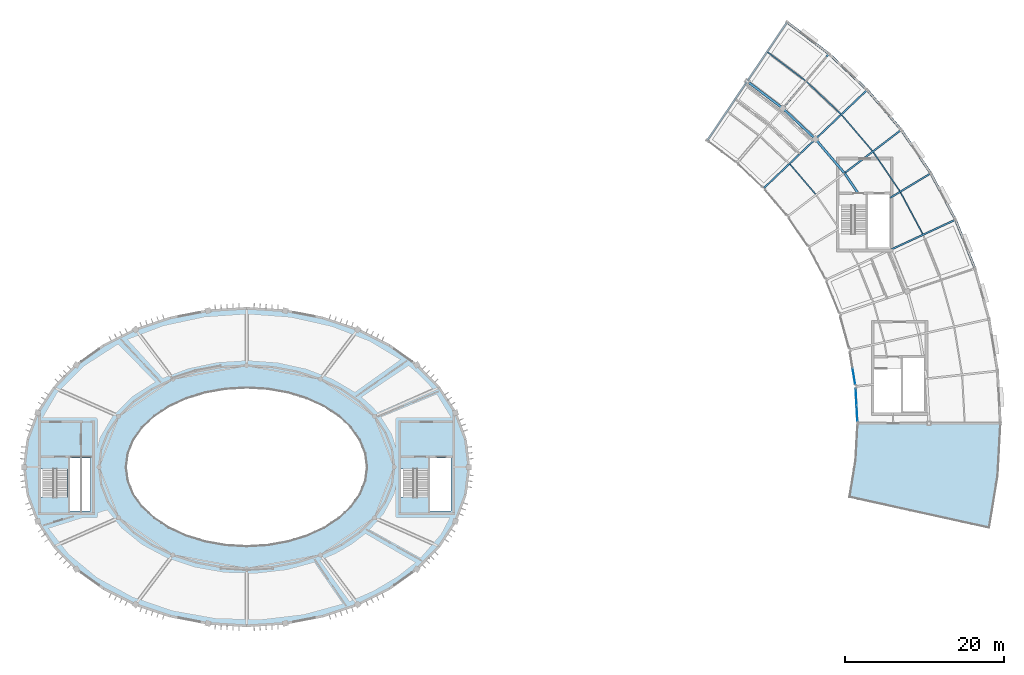
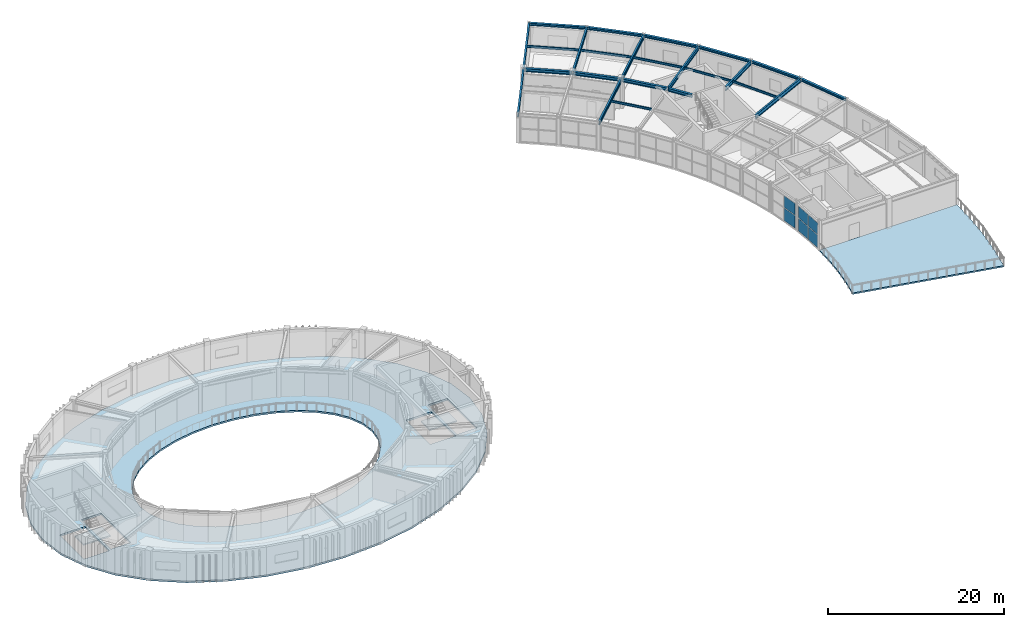
# One storey, part 15 of 29: 24 beams, 6 plates, 4 slabs, 4 elements without a shape of their own.
"""IFC4 building model written with IfcOpenShell, lengths in metres."""

from ifc_helpers import new_model, si_unit, direction, frame, origin, origin_2d, place, context, subcontext, project, spatial, polyline, rectangle, i_section, outline, extrude, material, layer, layer_set, material_profile, profile_set, type_object, element, aggregate, save


model = new_model("IFC4")

# Units and contexts
model_context = context("Model", 3, precision=1e-05, world=origin(), true_north=direction((0.0, 1.0)))
body_context = subcontext(model_context, "Body", "Model", "MODEL_VIEW")
ifc_project = project(units=[si_unit("LENGTHUNIT", "METRE"), si_unit("AREAUNIT", "SQUARE_METRE"), si_unit("VOLUMEUNIT", "CUBIC_METRE"), si_unit("PLANEANGLEUNIT", "RADIAN"), si_unit("MASSUNIT", "GRAM", prefix="KILO")], contexts=[model_context])

# Site, building, storey
site_placement = place(None, origin())
site = spatial("IfcSite", under=ifc_project, at=site_placement, CompositionType="ELEMENT")
building_placement = place(site_placement, origin())
building = spatial("IfcBuilding", under=site, at=building_placement, Name="Tarnveldt Headland Concert Hall", CompositionType="ELEMENT")
storey_placement = place(building_placement, frame((0.0, 0.0, 18.60009765625)))
storey = spatial("IfcBuildingStorey", under=building, at=storey_placement, Name="L04", CompositionType="ELEMENT", Elevation=18.60009765625)

# Beams
ifc_material_1 = material(Name="Steel S355", Category="steel")
ifc_material_profile_1 = material_profile(ifc_material_1, i_section(OverallWidth=0.300048828125, OverallDepth=0.35009765625, WebThickness=0.010009765625, FlangeThickness=0.017578125, FilletRadius=0.027099609375, at=origin_2d()), Name="HEA360", Category="steel")
ifc_profile_set_1 = profile_set([ifc_material_profile_1], Name="Steel S355")
beam_type_1 = type_object("IfcBeamType", Name="SB-HEA360", PredefinedType="SPANDREL", material=ifc_profile_set_1)
beam_1_placement = place(storey_placement, frame((175.268798828125, 79.57958984375, 3.804931640625), z_axis=(-0.370995678575, 0.928634592549, 0.0), x_axis=(-0.928634592549, -0.370995678575, 0.0)))
element("IfcBeam", 1, at=beam_1_placement, inside=storey, type_object=beam_type_1, Name="Framing beam L04-1381", PredefinedType="SPANDREL", context=body_context, shape_type="SweptSolid", body=[
    extrude(i_section(OverallWidth=0.300048828125, OverallDepth=0.35009765625, WebThickness=0.010009765625, FlangeThickness=0.017578125, FilletRadius=0.027099609375, at=origin_2d()), origin(), (0.0, 0.0, 1.0), 6.5009765625),
])
beam_2_placement = place(storey_placement, frame((172.806396484375, 85.7255859375, 3.804931640625), z_axis=(-0.469455397466, 0.882956187922, 0.0), x_axis=(-0.882956187922, -0.469455397466, 0.0)))
element("IfcBeam", 2, at=beam_2_placement, inside=storey, type_object=beam_type_1, Name="Framing beam L04-1387", PredefinedType="SPANDREL", context=body_context, shape_type="SweptSolid", body=[
    extrude(i_section(OverallWidth=0.300048828125, OverallDepth=0.35009765625, WebThickness=0.010009765625, FlangeThickness=0.017578125, FilletRadius=0.027099609375, at=origin_2d()), origin(), (0.0, 0.0, 1.0), 6.501220703125),
])
for number, where, z_axis, x_axis, name in (
    (3, (169.6923828125, 91.568359375, 3.804931640625), (-0.562406572897, 0.826860838813, 0.0), (-0.826860838813, -0.562406572897, 0.0), "Framing beam L04-1394"),
    (4, (165.96337890625, 97.039306640625, 3.804931640625), (-0.648710643709, 0.761035150791, 0.0), (-0.761035150791, -0.648710643709, 0.0), "Framing beam L04-1401"),
):
    element("IfcBeam", number, at=place(storey_placement, frame(where, z_axis=z_axis, x_axis=x_axis)), inside=storey, type_object=beam_type_1, Name=name, PredefinedType="SPANDREL", context=body_context, shape_type="SweptSolid", body=[
        extrude(i_section(OverallWidth=0.300048828125, OverallDepth=0.35009765625, WebThickness=0.010009765625, FlangeThickness=0.017578125, FilletRadius=0.027099609375, at=origin_2d()), origin(), (0.0, 0.0, 1.0), 6.5009765625),
    ])
beam_3_placement = place(storey_placement, frame((161.66357421875, 102.07373046875, 3.804931640625), z_axis=(-0.727385871825, 0.686228674328, 0.0), x_axis=(-0.686228674328, -0.727385871825, 0.0)))
element("IfcBeam", 5, at=beam_3_placement, inside=storey, type_object=beam_type_1, Name="Framing beam L04-1408", PredefinedType="SPANDREL", context=body_context, shape_type="SweptSolid", body=[
    extrude(i_section(OverallWidth=0.300048828125, OverallDepth=0.35009765625, WebThickness=0.010009765625, FlangeThickness=0.017578125, FilletRadius=0.027099609375, at=origin_2d()), origin(), (0.0, 0.0, 1.0), 6.50146484375),
])
beam_4_placement = place(storey_placement, frame((156.84326171875, 106.612548828125, 3.804931640625), z_axis=(-0.797469381904, 0.603359416041, 0.0), x_axis=(-0.603359416041, -0.797469381904, 0.0)))
element("IfcBeam", 6, at=beam_4_placement, inside=storey, type_object=beam_type_1, Name="Framing beam L04-1415", PredefinedType="SPANDREL", context=body_context, shape_type="SweptSolid", body=[
    extrude(i_section(OverallWidth=0.300048828125, OverallDepth=0.35009765625, WebThickness=0.010009765625, FlangeThickness=0.017578125, FilletRadius=0.027099609375, at=origin_2d()), origin(), (0.0, 0.0, 1.0), 6.501220703125),
])
ifc_material_profile_2 = material_profile(ifc_material_1, i_section(OverallWidth=0.300048828125, OverallDepth=0.43994140625, WebThickness=0.011474609375, FlangeThickness=0.02099609375, FilletRadius=0.027099609375, at=origin_2d()), Name="HEA450", Category="steel")
ifc_profile_set_2 = profile_set([ifc_material_profile_2], Name="Steel S355")
beam_type_2 = type_object("IfcBeamType", Name="SB-HEA450", PredefinedType="BEAM", material=ifc_profile_set_2)
beam_5_placement = place(storey_placement, frame((160.57080078125, 89.0, 3.760009765625), z_axis=(-0.562434400968, 0.826841910288, 0.0), x_axis=(-0.826841910288, -0.562434400968, 0.0)))
element("IfcBeam", 7, at=beam_5_placement, inside=storey, type_object=beam_type_2, Name="Framing beam L04-1393", PredefinedType="BEAM", context=body_context, shape_type="SweptSolid", body=[
    extrude(i_section(OverallWidth=0.300048828125, OverallDepth=0.43994140625, WebThickness=0.011474609375, FlangeThickness=0.02099609375, FilletRadius=0.027099609375, at=origin_2d()), origin(), (0.0, 0.0, 1.0), 3.00634765625),
])
for number, where, z_axis, x_axis, name in (
    (8, (158.807373046875, 91.581298828125, 3.760009765625), (-0.648725364662, 0.761022602322, 0.0), (-0.761022602322, -0.648725364662, 0.0), "Framing beam L04-1400"),
    (9, (155.14111328125, 95.872314453125, 3.760009765625), (-0.727401560734, 0.686212044081, 0.0), (-0.686212044081, -0.727401560734, 0.0), "Framing beam L04-1407"),
):
    element("IfcBeam", number, at=place(storey_placement, frame(where, z_axis=z_axis, x_axis=x_axis)), inside=storey, type_object=beam_type_2, Name=name, PredefinedType="BEAM", context=body_context, shape_type="SweptSolid", body=[
        extrude(i_section(OverallWidth=0.300048828125, OverallDepth=0.43994140625, WebThickness=0.011474609375, FlangeThickness=0.02099609375, FilletRadius=0.027099609375, at=origin_2d()), origin(), (0.0, 0.0, 1.0), 5.524169921875),
    ])
beam_6_placement = place(storey_placement, frame((151.031494140625, 99.740478515625, 3.760009765625), z_axis=(-0.79747936857, 0.603346216285, 0.0), x_axis=(-0.603346216285, -0.79747936857, 0.0)))
element("IfcBeam", 10, at=beam_6_placement, inside=storey, type_object=beam_type_2, Name="Framing beam L04-1414", PredefinedType="BEAM", context=body_context, shape_type="SweptSolid", body=[
    extrude(i_section(OverallWidth=0.300048828125, OverallDepth=0.43994140625, WebThickness=0.011474609375, FlangeThickness=0.02099609375, FilletRadius=0.027099609375, at=origin_2d()), origin(), (0.0, 0.0, 1.0), 5.524658203125),
])
ifc_material_profile_3 = material_profile(ifc_material_1, i_section(OverallWidth=0.14990234375, OverallDepth=0.300048828125, WebThickness=0.007080078125, FlangeThickness=0.0107421875, FilletRadius=0.014892578125, at=origin_2d()), Name="IPE300", Category="steel")
ifc_profile_set_3 = profile_set([ifc_material_profile_3], Name="Steel S355")
beam_type_3 = type_object("IfcBeamType", Name="SB-IPE300", PredefinedType="JOIST", material=ifc_profile_set_3)
for number, where, z_axis, x_axis, name in (
    (11, (168.703369140625, 83.871337890625, 3.829833984375), (-0.469496755618, 0.882934197132, 0.0), (-0.882934197132, -0.469496755618, 0.0), "Framing beam L04-1389"),
    (12, (165.814208984375, 89.2802734375, 3.829833984375), (-0.562372031055, 0.826884332109, 0.0), (-0.826884332109, -0.562372031055, 0.0), "Framing beam L04-1396"),
):
    element("IfcBeam", number, at=place(storey_placement, frame(where, z_axis=z_axis, x_axis=x_axis)), inside=storey, type_object=beam_type_3, Name=name, PredefinedType="JOIST", context=body_context, shape_type="SweptSolid", body=[
        extrude(i_section(OverallWidth=0.14990234375, OverallDepth=0.300048828125, WebThickness=0.007080078125, FlangeThickness=0.0107421875, FilletRadius=0.014892578125, at=origin_2d()), origin(), (0.0, 0.0, 1.0), 5.9228515625),
    ])
beam_7_placement = place(storey_placement, frame((155.2001953125, 88.88623046875, 3.829833984375), z_axis=(-0.648699496025, 0.761044652998, 0.0), x_axis=(-0.761044652998, -0.648699496025, 0.0)))
element("IfcBeam", 13, at=beam_7_placement, inside=storey, type_object=beam_type_3, Name="Framing beam L04-1402", PredefinedType="JOIST", context=body_context, shape_type="SweptSolid", body=[
    extrude(i_section(OverallWidth=0.14990234375, OverallDepth=0.300048828125, WebThickness=0.007080078125, FlangeThickness=0.0107421875, FilletRadius=0.014892578125, at=origin_2d()), origin(), (0.0, 0.0, 1.0), 4.946044921875),
])
beam_8_placement = place(storey_placement, frame((162.356201171875, 94.344482421875, 3.829833984375), z_axis=(-0.648731827873, 0.761017092781, 0.0), x_axis=(-0.761017092781, -0.648731827873, 0.0)))
element("IfcBeam", 14, at=beam_8_placement, inside=storey, type_object=beam_type_3, Name="Framing beam L04-1403", PredefinedType="JOIST", context=body_context, shape_type="SweptSolid", body=[
    extrude(i_section(OverallWidth=0.14990234375, OverallDepth=0.300048828125, WebThickness=0.007080078125, FlangeThickness=0.0107421875, FilletRadius=0.014892578125, at=origin_2d()), origin(), (0.0, 0.0, 1.0), 5.9228515625),
])
beam_9_placement = place(storey_placement, frame((158.369384765625, 99.00390625, 3.829833984375), z_axis=(-0.727377734645, 0.68623729944, 0.0), x_axis=(-0.68623729944, -0.727377734645, 0.0)))
element("IfcBeam", 15, at=beam_9_placement, inside=storey, type_object=beam_type_3, Name="Framing beam L04-1410", PredefinedType="JOIST", context=body_context, shape_type="SweptSolid", body=[
    extrude(i_section(OverallWidth=0.14990234375, OverallDepth=0.300048828125, WebThickness=0.007080078125, FlangeThickness=0.0107421875, FilletRadius=0.014892578125, at=origin_2d()), origin(), (0.0, 0.0, 1.0), 5.92236328125),
])
beam_10_placement = place(storey_placement, frame((153.9013671875, 103.20361328125, 3.829833984375), z_axis=(-0.797485181363, 0.603338533086, 0.0), x_axis=(-0.603338533086, -0.797485181363, 0.0)))
element("IfcBeam", 16, at=beam_10_placement, inside=storey, type_object=beam_type_3, Name="Framing beam L04-1417", PredefinedType="JOIST", context=body_context, shape_type="SweptSolid", body=[
    extrude(i_section(OverallWidth=0.14990234375, OverallDepth=0.300048828125, WebThickness=0.007080078125, FlangeThickness=0.0107421875, FilletRadius=0.014892578125, at=origin_2d()), origin(), (0.0, 0.0, 1.0), 5.9228515625),
])
ifc_material_profile_4 = material_profile(ifc_material_1, i_section(OverallWidth=0.2099609375, OverallDepth=0.550048828125, WebThickness=0.010986328125, FlangeThickness=0.01708984375, FilletRadius=0.02392578125, at=origin_2d()), Name="IPE550", Category="steel")
ifc_profile_set_4 = profile_set([ifc_material_profile_4], Name="Steel S355")
beam_type_4 = type_object("IfcBeamType", Name="SB-IPE550", PredefinedType="BEAM", material=ifc_profile_set_4)
beam_11_placement = place(storey_placement, frame((164.724853515625, 81.909912109375, 3.704833984375), z_axis=(0.907125568287, 0.420860075749, 0.0), x_axis=(-0.420860075749, 0.907125568287, 0.0)))
element("IfcBeam", 17, at=beam_11_placement, inside=storey, type_object=beam_type_4, Name="Framing beam L04-1385", PredefinedType="BEAM", context=body_context, shape_type="SweptSolid", body=[
    extrude(i_section(OverallWidth=0.2099609375, OverallDepth=0.550048828125, WebThickness=0.010986328125, FlangeThickness=0.01708984375, FilletRadius=0.02392578125, at=origin_2d()), origin(), (0.0, 0.0, 1.0), 8.880126953125),
])
beam_12_placement = place(storey_placement, frame((164.6201171875, 88.43701171875, 3.704833984375), z_axis=(0.856147288877, 0.516731864461, 0.0), x_axis=(-0.516731864461, 0.856147288877, 0.0)))
element("IfcBeam", 18, at=beam_12_placement, inside=storey, type_object=beam_type_4, Name="Framing beam L04-1391", PredefinedType="BEAM", context=body_context, shape_type="SweptSolid", body=[
    extrude(i_section(OverallWidth=0.2099609375, OverallDepth=0.550048828125, WebThickness=0.010986328125, FlangeThickness=0.01708984375, FilletRadius=0.02392578125, at=origin_2d()), origin(), (0.0, 0.0, 1.0), 5.904052734375),
])
beam_13_placement = place(storey_placement, frame((158.89404296875, 91.572021484375, 3.704833984375), z_axis=(0.795130566959, 0.606438275084, 0.0), x_axis=(-0.606438275084, 0.795130566959, 0.0)))
element("IfcBeam", 19, at=beam_13_placement, inside=storey, type_object=beam_type_4, Name="Framing beam L04-1398", PredefinedType="BEAM", context=body_context, shape_type="SweptSolid", body=[
    extrude(i_section(OverallWidth=0.2099609375, OverallDepth=0.550048828125, WebThickness=0.010986328125, FlangeThickness=0.01708984375, FilletRadius=0.02392578125, at=origin_2d()), origin(), (0.0, 0.0, 1.0), 8.879638671875),
])
for number, where, z_axis, x_axis, name in (
    (20, (148.705810546875, 89.6708984375, 3.704833984375), (0.724698020854, 0.689066599517, 0.0), (-0.689066599517, 0.724698020854, 0.0), "Framing beam L04-1404"),
    (21, (155.228271484375, 95.872314453125, 3.704833984375), (0.724698020854, 0.689066599517, 0.0), (-0.689066599517, 0.724698020854, 0.0), "Framing beam L04-1405"),
):
    element("IfcBeam", number, at=place(storey_placement, frame(where, z_axis=z_axis, x_axis=x_axis)), inside=storey, type_object=beam_type_4, Name=name, PredefinedType="BEAM", context=body_context, shape_type="SweptSolid", body=[
        extrude(i_section(OverallWidth=0.2099609375, OverallDepth=0.550048828125, WebThickness=0.010986328125, FlangeThickness=0.01708984375, FilletRadius=0.02392578125, at=origin_2d()), origin(), (0.0, 0.0, 1.0), 8.8798828125),
    ])
for number, where, z_axis, x_axis, name in (
    (22, (151.117919921875, 99.750244140625, 3.704833984375), (0.645759819996, 0.763540604604, 0.0), (-0.763540604604, 0.645759819996, 0.0), "Framing beam L04-1412"),
    (23, (141.578857421875, 95.6982421875, 3.704833984375), (0.559177704886, 0.829047823927, 0.0), (-0.829047823927, 0.559177704886, 0.0), "Framing beam L04-1418"),
):
    element("IfcBeam", number, at=place(storey_placement, frame(where, z_axis=z_axis, x_axis=x_axis)), inside=storey, type_object=beam_type_4, Name=name, PredefinedType="BEAM", context=body_context, shape_type="SweptSolid", body=[
        extrude(i_section(OverallWidth=0.2099609375, OverallDepth=0.550048828125, WebThickness=0.010986328125, FlangeThickness=0.01708984375, FilletRadius=0.02392578125, at=origin_2d()), origin(), (0.0, 0.0, 1.0), 8.880126953125),
    ])
beam_14_placement = place(storey_placement, frame((146.611572265625, 103.15966796875, 3.704833984375), z_axis=(0.5591904504, 0.829039227167, 0.0), x_axis=(-0.829039227167, 0.5591904504, 0.0)))
element("IfcBeam", 24, at=beam_14_placement, inside=storey, type_object=beam_type_4, Name="Framing beam L04-1419", PredefinedType="BEAM", context=body_context, shape_type="SweptSolid", body=[
    extrude(i_section(OverallWidth=0.2099609375, OverallDepth=0.550048828125, WebThickness=0.010986328125, FlangeThickness=0.01708984375, FilletRadius=0.02392578125, at=origin_2d()), origin(), (0.0, 0.0, 1.0), 8.8798828125),
])

# Curtain wall, plates
ifc_material_2 = material(Name="Marine-anodised aluminium EN AW-6063-T6", Category="aluminium")
curtain_wall_type = type_object("IfcCurtainWallType", Name="CW-C5", PredefinedType="NOTDEFINED", material=ifc_material_2)
curtain_wall_1_placement = place(storey_placement, origin())
curtain_wall_1 = element("IfcCurtainWall", 25, at=curtain_wall_1_placement, inside=storey, type_object=curtain_wall_type, Name="Curtain wall CW-L04-147", PredefinedType="NOTDEFINED")
ifc_material_3 = material(Name="Acoustic laminated low-iron double glazing", Category="glass")
ifc_layer_1 = layer(ifc_material_3, 0.02490234375, Name="Acoustic laminated low-iron double glazing", Category="glass")
ifc_layer_set_1 = layer_set([ifc_layer_1], Name="Acoustic laminated low-iron double glazing")
plate_type = type_object("IfcPlateType", Name="PN-C5", PredefinedType="CURTAIN_PANEL", material=ifc_layer_set_1)
plate_1_placement = place(storey_placement, frame((160.429443359375, 61.29736328125, 0.09228515625), z_axis=(0.0, 0.0, 1.0), x_axis=(-0.054253089686, 0.998527216584, 0.0)))
plate_1 = element("IfcPlate", 26, at=plate_1_placement, type_object=plate_type, Name="Glazed panel CW-L04-147-1-1", PredefinedType="CURTAIN_PANEL", context=body_context, shape_type="SweptSolid", body=[
    extrude(rectangle(XDim=1.964599609375, YDim=0.02490234375, at=origin_2d()), origin(), (0.0, 0.0, 1.0), 1.747314453125),
])
plate_2_placement = place(storey_placement, frame((160.429443359375, 61.29736328125, 1.9248046875), z_axis=(0.0, 0.0, 1.0), x_axis=(-0.054253089686, 0.998527216584, 0.0)))
plate_2 = element("IfcPlate", 27, at=plate_2_placement, type_object=plate_type, Name="Glazed panel CW-L04-147-1-2", PredefinedType="CURTAIN_PANEL", context=body_context, shape_type="SweptSolid", body=[
    extrude(rectangle(XDim=1.964599609375, YDim=0.02490234375, at=origin_2d()), origin(), (0.0, 0.0, 1.0), 1.6025390625),
])
plate_3_placement = place(storey_placement, frame((160.317138671875, 63.36328125, 0.09228515625), z_axis=(0.0, 0.0, 1.0), x_axis=(-0.054253089686, 0.998527216584, 0.0)))
plate_3 = element("IfcPlate", 28, at=plate_3_placement, type_object=plate_type, Name="Glazed panel CW-L04-147-2-1", PredefinedType="CURTAIN_PANEL", context=body_context, shape_type="SweptSolid", body=[
    extrude(rectangle(XDim=1.964599609375, YDim=0.02490234375, at=origin_2d()), origin(), (0.0, 0.0, 1.0), 1.747314453125),
])
plate_4_placement = place(storey_placement, frame((160.317138671875, 63.36328125, 1.9248046875), z_axis=(0.0, 0.0, 1.0), x_axis=(-0.054253089686, 0.998527216584, 0.0)))
plate_4 = element("IfcPlate", 29, at=plate_4_placement, type_object=plate_type, Name="Glazed panel CW-L04-147-2-2", PredefinedType="CURTAIN_PANEL", context=body_context, shape_type="SweptSolid", body=[
    extrude(rectangle(XDim=1.964599609375, YDim=0.02490234375, at=origin_2d()), origin(), (0.0, 0.0, 1.0), 1.6025390625),
])
aggregate(curtain_wall_1, [plate_1, plate_2, plate_3, plate_4])

curtain_wall_2_placement = place(storey_placement, origin())
curtain_wall_2 = element("IfcCurtainWall", 30, at=curtain_wall_2_placement, inside=storey, type_object=curtain_wall_type, Name="Curtain wall CW-L04-148", PredefinedType="NOTDEFINED")
plate_5_placement = place(storey_placement, frame((160.035888671875, 65.94287109375, 0.09228515625), z_axis=(0.0, 0.0, 1.0), x_axis=(-0.162172182357, 0.986762475609, 0.0)))
plate_5 = element("IfcPlate", 31, at=plate_5_placement, type_object=plate_type, Name="Glazed panel CW-L04-148-1-1", PredefinedType="CURTAIN_PANEL", context=body_context, shape_type="SweptSolid", body=[
    extrude(rectangle(XDim=1.964599609375, YDim=0.02490234375, at=origin_2d()), origin(), (0.0, 0.0, 1.0), 1.747314453125),
])
plate_6_placement = place(storey_placement, frame((160.035888671875, 65.94287109375, 1.9248046875), z_axis=(0.0, 0.0, 1.0), x_axis=(-0.162172182357, 0.986762475609, 0.0)))
plate_6 = element("IfcPlate", 32, at=plate_6_placement, type_object=plate_type, Name="Glazed panel CW-L04-148-1-2", PredefinedType="CURTAIN_PANEL", context=body_context, shape_type="SweptSolid", body=[
    extrude(rectangle(XDim=1.964599609375, YDim=0.02490234375, at=origin_2d()), origin(), (0.0, 0.0, 1.0), 1.6025390625),
])
aggregate(curtain_wall_2, [plate_5, plate_6])

# Slab
ifc_material_4 = material(Name="Concrete C40/50", Category="concrete")
ifc_layer_2 = layer(ifc_material_4, 0.239990234375, Name="Concrete C40/50", Category="concrete")
ifc_layer_set_2 = layer_set([ifc_layer_2], Name="Concrete C40/50")
slab_type_1 = type_object("IfcSlabType", Name="SL-FL240", PredefinedType="FLOOR", material=ifc_layer_set_2)
slab_1_placement = place(storey_placement, frame((0.0, 0.0, -0.239990234375)))
element("IfcSlab", 33, at=slab_1_placement, inside=storey, type_object=slab_type_1, Name="Symphony drum floor slab L04", PredefinedType="FLOOR", context=body_context, shape_type="SweptSolid", body=[
    extrude(outline(polyline([(101.498046875, 39.17919921875), (104.94921875, 41.644287109375), (107.748779296875, 44.5), (109.811279296875, 47.65966796875), (111.07470703125, 51.027099609375), (111.5, 54.5), (111.07470703125, 57.972900390625), (109.811279296875, 61.34033203125), (107.748779296875, 64.5), (104.94921875, 67.355712890625), (101.498046875, 69.82080078125), (97.5, 71.820556640625), (93.07666015625, 73.2939453125), (88.362060546875, 74.1962890625), (83.5, 74.5), (78.637939453125, 74.1962890625), (73.92333984375, 73.2939453125), (69.5, 71.820556640625), (65.501953125, 69.82080078125), (62.05078125, 67.355712890625), (59.251220703125, 64.5), (57.188720703125, 61.34033203125), (55.92529296875, 57.972900390625), (55.5, 54.5), (55.92529296875, 51.027099609375), (57.188720703125, 47.65966796875), (59.251220703125, 44.5), (62.05078125, 41.644287109375), (65.501953125, 39.17919921875), (69.5, 37.179443359375), (73.92333984375, 35.7060546875), (78.637939453125, 34.8037109375), (83.5, 34.5), (88.362060546875, 34.8037109375), (93.07666015625, 35.7060546875), (97.5, 37.179443359375), (101.498046875, 39.17919921875)]), holes=[polyline([(93.2705078125, 62.160400390625), (95.143798828125, 60.927978515625), (96.66357421875, 59.5), (97.783203125, 57.920166015625), (98.468994140625, 56.236572265625), (98.699951171875, 54.5), (98.468994140625, 52.763427734375), (97.783203125, 51.079833984375), (96.66357421875, 49.5), (95.143798828125, 48.072021484375), (93.2705078125, 46.839599609375), (91.10009765625, 45.839599609375), (88.69873046875, 45.10302734375), (86.139404296875, 44.65185546875), (83.5, 44.5), (80.860595703125, 44.65185546875), (78.30126953125, 45.10302734375), (75.89990234375, 45.839599609375), (73.7294921875, 46.839599609375), (71.856201171875, 48.072021484375), (70.33642578125, 49.5), (69.216796875, 51.079833984375), (68.531005859375, 52.763427734375), (68.300048828125, 54.5), (68.531005859375, 56.236572265625), (69.216796875, 57.920166015625), (70.33642578125, 59.5), (71.856201171875, 60.927978515625), (73.7294921875, 62.160400390625), (75.89990234375, 63.160400390625), (78.30126953125, 63.89697265625), (80.860595703125, 64.34814453125), (83.5, 64.5), (86.139404296875, 64.34814453125), (88.69873046875, 63.89697265625), (91.10009765625, 63.160400390625), (93.2705078125, 62.160400390625)]), polyline([(60.9599609375, 48.780029296875), (57.580078125, 48.780029296875), (57.580078125, 54.280029296875), (60.9599609375, 54.280029296875), (60.9599609375, 48.780029296875)]), polyline([(61.239990234375, 48.9599609375), (61.239990234375, 55.659912109375), (63.840087890625, 55.659912109375), (63.840087890625, 48.9599609375), (61.239990234375, 48.9599609375)]), polyline([(102.97998046875, 54.280029296875), (106.360107421875, 54.280029296875), (106.360107421875, 48.780029296875), (102.97998046875, 48.780029296875), (102.97998046875, 54.280029296875)]), polyline([(109.239990234375, 55.659912109375), (109.239990234375, 48.9599609375), (106.639892578125, 48.9599609375), (106.639892578125, 55.659912109375), (109.239990234375, 55.659912109375)])]), origin(), (0.0, 0.0, 1.0), 0.239990234375),
])

# Stair, slab
stair_type = type_object("IfcStairType", Name="ST-CORE420", PredefinedType="HALF_TURN_STAIR", material=ifc_material_4)
stair_1_placement = place(storey_placement, origin())
stair_1 = element("IfcStair", 34, at=stair_1_placement, inside=storey, type_object=stair_type, Name="Exit stair STR-C1-L04", PredefinedType="HALF_TURN_STAIR")
ifc_layer_3 = layer(ifc_material_4, 0.179931640625, Name="Concrete C40/50", Category="concrete")
ifc_layer_set_3 = layer_set([ifc_layer_3], Name="Concrete C40/50")
slab_type_2 = type_object("IfcSlabType", Name="SL-STLND180", PredefinedType="LANDING", material=ifc_layer_set_3)
slab_2_placement = place(storey_placement, frame((0.0, 0.0, 1.919921875)))
slab_2 = element("IfcSlab", 35, at=slab_2_placement, type_object=slab_type_2, Name="Stair half-landing STR-C1-L04", PredefinedType="LANDING", context=body_context, shape_type="SweptSolid", body=[
    extrude(outline(polyline([(57.52001953125, 48.719970703125), (61.080078125, 48.719970703125), (61.080078125, 50.719970703125), (57.52001953125, 50.719970703125), (57.52001953125, 48.719970703125)])), origin(), (0.0, 0.0, 1.0), 0.179931640625),
])
aggregate(stair_1, [slab_2])

stair_2_placement = place(storey_placement, origin())
stair_2 = element("IfcStair", 36, at=stair_2_placement, inside=storey, type_object=stair_type, Name="Exit stair STR-C2-L04", PredefinedType="HALF_TURN_STAIR")
slab_3_placement = place(storey_placement, frame((0.0, 0.0, 1.919921875)))
slab_3 = element("IfcSlab", 37, at=slab_3_placement, type_object=slab_type_2, Name="Stair half-landing STR-C2-L04", PredefinedType="LANDING", context=body_context, shape_type="SweptSolid", body=[
    extrude(outline(polyline([(102.919921875, 48.719970703125), (106.47998046875, 48.719970703125), (106.47998046875, 50.719970703125), (102.919921875, 50.719970703125), (102.919921875, 48.719970703125)])), origin(), (0.0, 0.0, 1.0), 0.179931640625),
])
aggregate(stair_2, [slab_3])

# Slab
ifc_layer_4 = layer(ifc_material_4, 0.195068359375, Name="Concrete C40/50", Category="concrete")
ifc_layer_set_4 = layer_set([ifc_layer_4], Name="Concrete C40/50")
slab_type_3 = type_object("IfcSlabType", Name="SL-TR195", PredefinedType="ROOF", material=ifc_layer_set_4)
slab_4_placement = place(storey_placement, frame((0.0, 0.0, -0.195068359375)))
element("IfcSlab", 38, at=slab_4_placement, inside=storey, type_object=slab_type_3, Name="Crescent stepped coastal roof terrace L04", PredefinedType="ROOF", context=body_context, shape_type="SweptSolid", body=[
    extrude(outline(polyline([(177.06689453125, 46.85498046875), (177.6923828125, 50.107177734375), (178.140625, 53.388427734375), (178.41015625, 56.689453125), (178.5, 60.0), (160.5, 60.0), (160.4365234375, 57.666259765625), (160.24658203125, 55.33935546875), (159.9306640625, 53.0263671875), (159.48974609375, 50.73388671875), (177.06689453125, 46.85498046875)])), origin(), (0.0, 0.0, 1.0), 0.195068359375),
])

save(model, "model.ifc")
